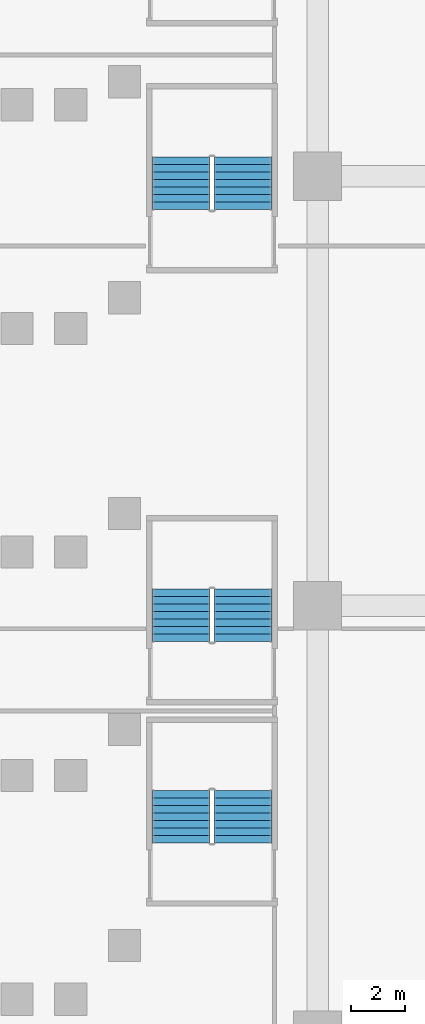
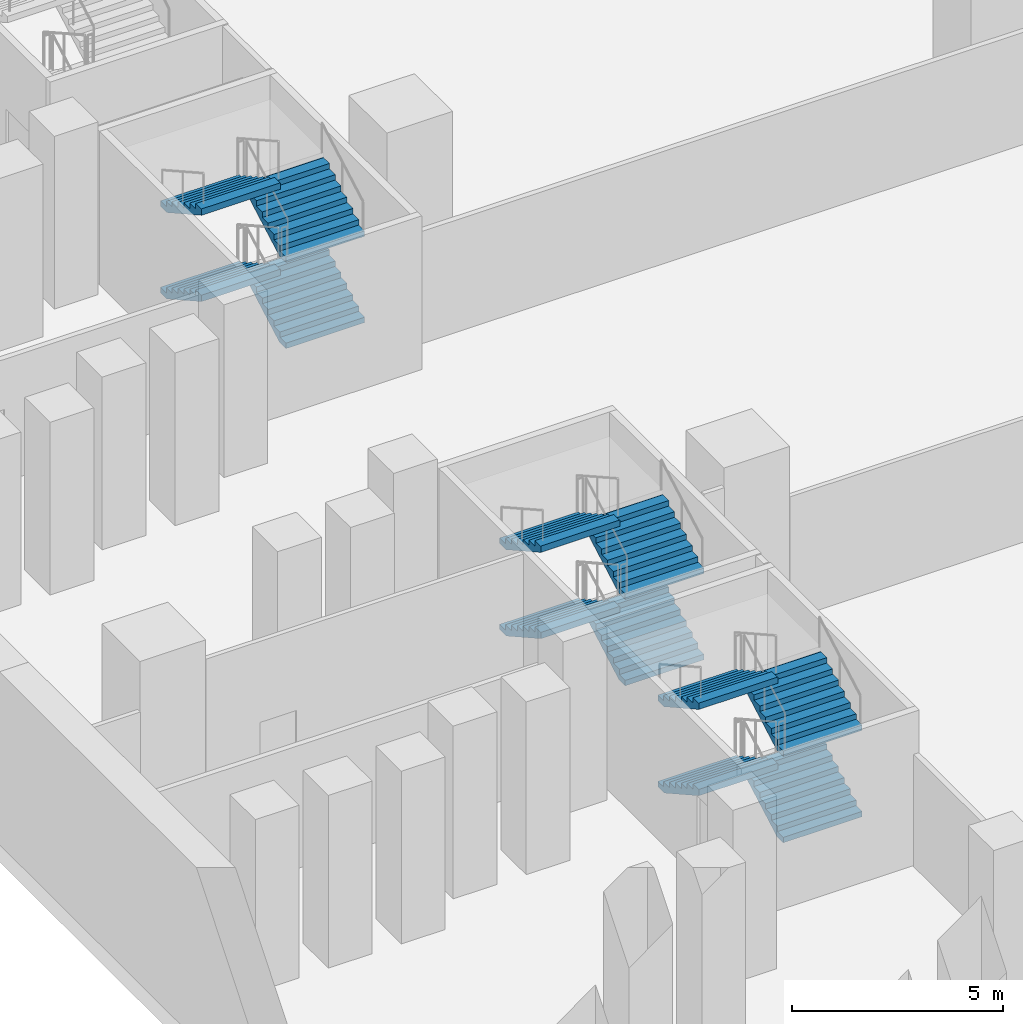
# One storey, part 13 of 24: 12 stair flights, 3 elements without a shape of their own.
"""IFC4 building model written with IfcOpenShell, lengths in metres."""

from ifc_helpers import new_model, si_unit, direction, frame, origin, place, context, subcontext, project, spatial, faceted_brep, source, transform, mapped, material, type_object, element, aggregate, save


model = new_model("IFC4")

# Units and contexts
model_context = context("Model", 3, precision=1e-05, world=origin(), true_north=direction((0.0, 1.0)))
body_context = subcontext(model_context, "Body", "Model", "MODEL_VIEW")
ifc_project = project(units=[si_unit("LENGTHUNIT", "METRE"), si_unit("AREAUNIT", "SQUARE_METRE"), si_unit("VOLUMEUNIT", "CUBIC_METRE"), si_unit("PLANEANGLEUNIT", "RADIAN"), si_unit("MASSUNIT", "GRAM", prefix="KILO")], contexts=[model_context])

# Site, building, storey
site_placement = place(None, origin())
site = spatial("IfcSite", under=ifc_project, at=site_placement, CompositionType="ELEMENT")
building_placement = place(site_placement, origin())
building = spatial("IfcBuilding", under=site, at=building_placement, Name="Calabash Gate Tower", CompositionType="ELEMENT")
storey_placement = place(building_placement, frame((0.0, 0.0, -5.0)))
storey = spatial("IfcBuildingStorey", under=building, at=storey_placement, Name="B1", CompositionType="ELEMENT", Elevation=-5.0)

# Stair, stair flights
ifc_material_1 = material(Name="Concrete C40/50", Category="concrete")
stair_type = type_object("IfcStairType", Name="Public stair 32 risers of 156.2 mm", PredefinedType="HALF_TURN_STAIR", material=ifc_material_1)
stair_1_placement = place(storey_placement, origin())
stair_1 = element("IfcStair", 1, at=stair_1_placement, inside=storey, type_object=stair_type, Name="B1 Public Stair PS1", PredefinedType="HALF_TURN_STAIR")
ifc_material_2 = material(Name="Concrete C40/50", Category="concrete")
stair_flight_type = type_object("IfcStairFlightType", Name="Exit stair flight SFL", PredefinedType="STRAIGHT", material=ifc_material_2)
shared_shape = source(origin(), body_context, "Body", "Brep", [
    faceted_brep([(-0.0009765625, -1.080078125, 0.0), (0.306884765625, -1.080078125, 0.0), (1.9541015625, -1.080078125, 0.921875), (-0.0009765625, 1.080078125, 0.0), (1.9541015625, 1.080078125, 0.921875), (0.306884765625, 1.080078125, 0.0), (1.9541015625, -1.080078125, 1.105712890625), (1.952880859375, -1.080078125, 1.105712890625), (1.952880859375, 1.080078125, 1.105712890625), (1.9541015625, 1.080078125, 1.105712890625), (1.952880859375, -1.080078125, 1.09375), (1.952880859375, 1.080078125, 1.09375), (1.674072265625, -1.080078125, 1.09375), (1.674072265625, 1.080078125, 1.09375), (1.674072265625, -1.080078125, 0.9375), (1.674072265625, 1.080078125, 0.9375), (1.39501953125, -1.080078125, 0.9375), (1.39501953125, 1.080078125, 0.9375), (1.39501953125, -1.080078125, 0.78125), (1.39501953125, 1.080078125, 0.78125), (1.115966796875, -1.080078125, 0.78125), (1.115966796875, -1.080078125, 0.625), (1.115966796875, 1.080078125, 0.625), (1.115966796875, 1.080078125, 0.78125), (0.8369140625, -1.080078125, 0.625), (0.8369140625, -1.080078125, 0.46875), (0.8369140625, 1.080078125, 0.46875), (0.8369140625, 1.080078125, 0.625), (0.55810546875, -1.080078125, 0.46875), (0.55810546875, -1.080078125, 0.3125), (0.55810546875, 1.080078125, 0.3125), (0.55810546875, 1.080078125, 0.46875), (0.279052734375, -1.080078125, 0.3125), (0.279052734375, -1.080078125, 0.15625), (0.279052734375, 1.080078125, 0.15625), (0.279052734375, 1.080078125, 0.3125), (-0.0009765625, -1.080078125, 0.15625), (-0.0009765625, 1.080078125, 0.15625), (0.306884765625, -0.431884765625, 0.0), (1.9541015625, -0.431884765625, 0.921875), (0.306884765625, -0.370361328125, 0.0), (1.9541015625, -0.370361328125, 0.921875), (0.306884765625, -0.30859375, 0.0), (1.9541015625, -0.30859375, 0.921875), (0.306884765625, -0.246826171875, 0.0), (1.9541015625, -0.246826171875, 0.921875), (0.306884765625, -0.18505859375, 0.0), (1.9541015625, -0.18505859375, 0.921875), (0.306884765625, -0.12353515625, 0.0), (1.9541015625, -0.12353515625, 0.921875), (0.306884765625, -0.061767578125, 0.0), (1.9541015625, -0.061767578125, 0.921875), (0.306884765625, 0.0, 0.0), (1.9541015625, 0.0, 0.921875), (0.306884765625, 0.061767578125, 0.0), (1.9541015625, 0.061767578125, 0.921875), (0.306884765625, 0.12353515625, 0.0), (1.9541015625, 0.12353515625, 0.921875), (0.306884765625, 0.18505859375, 0.0), (1.9541015625, 0.18505859375, 0.921875), (0.306884765625, 0.246826171875, 0.0), (1.9541015625, 0.246826171875, 0.921875), (0.306884765625, 0.30859375, 0.0), (1.9541015625, 0.30859375, 0.921875), (0.306884765625, 0.370361328125, 0.0), (1.9541015625, 0.370361328125, 0.921875), (0.306884765625, 0.431884765625, 0.0), (1.9541015625, 0.431884765625, 0.921875), (1.9541015625, -0.431884765625, 1.105712890625), (1.9541015625, -0.370361328125, 1.105712890625), (1.9541015625, -0.30859375, 1.105712890625), (1.9541015625, -0.246826171875, 1.105712890625), (1.9541015625, -0.18505859375, 1.105712890625), (1.9541015625, -0.12353515625, 1.105712890625), (1.9541015625, -0.061767578125, 1.105712890625), (1.9541015625, 0.0, 1.105712890625), (1.9541015625, 0.061767578125, 1.105712890625), (1.9541015625, 0.12353515625, 1.105712890625), (1.9541015625, 0.18505859375, 1.105712890625), (1.9541015625, 0.246826171875, 1.105712890625), (1.9541015625, 0.30859375, 1.105712890625), (1.9541015625, 0.370361328125, 1.105712890625), (1.9541015625, 0.431884765625, 1.105712890625), (1.952880859375, -0.431884765625, 1.105712890625), (1.952880859375, -0.370361328125, 1.105712890625), (1.952880859375, -0.30859375, 1.105712890625), (1.952880859375, -0.246826171875, 1.105712890625), (1.952880859375, -0.18505859375, 1.105712890625), (1.952880859375, -0.12353515625, 1.105712890625), (1.952880859375, -0.061767578125, 1.105712890625), (1.952880859375, 0.0, 1.105712890625), (1.952880859375, 0.061767578125, 1.105712890625), (1.952880859375, 0.12353515625, 1.105712890625), (1.952880859375, 0.18505859375, 1.105712890625), (1.952880859375, 0.246826171875, 1.105712890625), (1.952880859375, 0.30859375, 1.105712890625), (1.952880859375, 0.370361328125, 1.105712890625), (1.952880859375, 0.431884765625, 1.105712890625), (1.952880859375, -0.431884765625, 1.09375), (1.952880859375, -0.370361328125, 1.09375), (1.952880859375, -0.30859375, 1.09375), (1.952880859375, -0.246826171875, 1.09375), (1.952880859375, -0.18505859375, 1.09375), (1.952880859375, -0.12353515625, 1.09375), (1.952880859375, -0.061767578125, 1.09375), (1.952880859375, 0.0, 1.09375), (1.952880859375, 0.061767578125, 1.09375), (1.952880859375, 0.12353515625, 1.09375), (1.952880859375, 0.18505859375, 1.09375), (1.952880859375, 0.246826171875, 1.09375), (1.952880859375, 0.30859375, 1.09375), (1.952880859375, 0.370361328125, 1.09375), (1.952880859375, 0.431884765625, 1.09375), (1.674072265625, -0.431884765625, 1.09375), (1.674072265625, -0.370361328125, 1.09375), (1.674072265625, -0.30859375, 1.09375), (1.674072265625, -0.246826171875, 1.09375), (1.674072265625, -0.18505859375, 1.09375), (1.674072265625, -0.12353515625, 1.09375), (1.674072265625, -0.061767578125, 1.09375), (1.674072265625, 0.0, 1.09375), (1.674072265625, 0.061767578125, 1.09375), (1.674072265625, 0.12353515625, 1.09375), (1.674072265625, 0.18505859375, 1.09375), (1.674072265625, 0.246826171875, 1.09375), (1.674072265625, 0.30859375, 1.09375), (1.674072265625, 0.370361328125, 1.09375), (1.674072265625, 0.431884765625, 1.09375), (1.674072265625, -0.431884765625, 0.9375), (1.674072265625, -0.370361328125, 0.9375), (1.674072265625, -0.30859375, 0.9375), (1.674072265625, -0.246826171875, 0.9375), (1.674072265625, -0.18505859375, 0.9375), (1.674072265625, -0.12353515625, 0.9375), (1.674072265625, -0.061767578125, 0.9375), (1.674072265625, 0.0, 0.9375), (1.674072265625, 0.061767578125, 0.9375), (1.674072265625, 0.12353515625, 0.9375), (1.674072265625, 0.18505859375, 0.9375), (1.674072265625, 0.246826171875, 0.9375), (1.674072265625, 0.30859375, 0.9375), (1.674072265625, 0.370361328125, 0.9375), (1.674072265625, 0.431884765625, 0.9375), (1.39501953125, -0.431884765625, 0.9375), (1.39501953125, -0.370361328125, 0.9375), (1.39501953125, -0.30859375, 0.9375), (1.39501953125, -0.246826171875, 0.9375), (1.39501953125, -0.18505859375, 0.9375), (1.39501953125, -0.12353515625, 0.9375), (1.39501953125, -0.061767578125, 0.9375), (1.39501953125, 0.0, 0.9375), (1.39501953125, 0.061767578125, 0.9375), (1.39501953125, 0.12353515625, 0.9375), (1.39501953125, 0.18505859375, 0.9375), (1.39501953125, 0.246826171875, 0.9375), (1.39501953125, 0.30859375, 0.9375), (1.39501953125, 0.370361328125, 0.9375), (1.39501953125, 0.431884765625, 0.9375), (1.39501953125, -0.431884765625, 0.78125), (1.39501953125, -0.370361328125, 0.78125), (1.39501953125, -0.30859375, 0.78125), (1.39501953125, -0.246826171875, 0.78125), (1.39501953125, -0.18505859375, 0.78125), (1.39501953125, -0.12353515625, 0.78125), (1.39501953125, -0.061767578125, 0.78125), (1.39501953125, 0.0, 0.78125), (1.39501953125, 0.061767578125, 0.78125), (1.39501953125, 0.12353515625, 0.78125), (1.39501953125, 0.18505859375, 0.78125), (1.39501953125, 0.246826171875, 0.78125), (1.39501953125, 0.30859375, 0.78125), (1.39501953125, 0.370361328125, 0.78125), (1.39501953125, 0.431884765625, 0.78125), (1.115966796875, -0.431884765625, 0.78125), (1.115966796875, -0.370361328125, 0.78125), (1.115966796875, -0.30859375, 0.78125), (1.115966796875, -0.246826171875, 0.78125), (1.115966796875, -0.18505859375, 0.78125), (1.115966796875, -0.12353515625, 0.78125), (1.115966796875, -0.061767578125, 0.78125), (1.115966796875, 0.0, 0.78125), (1.115966796875, 0.061767578125, 0.78125), (1.115966796875, 0.12353515625, 0.78125), (1.115966796875, 0.18505859375, 0.78125), (1.115966796875, 0.246826171875, 0.78125), (1.115966796875, 0.30859375, 0.78125), (1.115966796875, 0.370361328125, 0.78125), (1.115966796875, 0.431884765625, 0.78125), (1.115966796875, -0.431884765625, 0.625), (1.115966796875, -0.370361328125, 0.625), (1.115966796875, -0.30859375, 0.625), (1.115966796875, -0.246826171875, 0.625), (1.115966796875, -0.18505859375, 0.625), (1.115966796875, -0.12353515625, 0.625), (1.115966796875, -0.061767578125, 0.625), (1.115966796875, 0.0, 0.625), (1.115966796875, 0.061767578125, 0.625), (1.115966796875, 0.12353515625, 0.625), (1.115966796875, 0.18505859375, 0.625), (1.115966796875, 0.246826171875, 0.625), (1.115966796875, 0.30859375, 0.625), (1.115966796875, 0.370361328125, 0.625), (1.115966796875, 0.431884765625, 0.625), (0.8369140625, -0.431884765625, 0.625), (0.8369140625, -0.370361328125, 0.625), (0.8369140625, -0.30859375, 0.625), (0.8369140625, -0.246826171875, 0.625), (0.8369140625, -0.18505859375, 0.625), (0.8369140625, -0.12353515625, 0.625), (0.8369140625, -0.061767578125, 0.625), (0.8369140625, 0.0, 0.625), (0.8369140625, 0.061767578125, 0.625), (0.8369140625, 0.12353515625, 0.625), (0.8369140625, 0.18505859375, 0.625), (0.8369140625, 0.246826171875, 0.625), (0.8369140625, 0.30859375, 0.625), (0.8369140625, 0.370361328125, 0.625), (0.8369140625, 0.431884765625, 0.625), (0.8369140625, -0.431884765625, 0.46875), (0.8369140625, -0.370361328125, 0.46875), (0.8369140625, -0.30859375, 0.46875), (0.8369140625, -0.246826171875, 0.46875), (0.8369140625, -0.18505859375, 0.46875), (0.8369140625, -0.12353515625, 0.46875), (0.8369140625, -0.061767578125, 0.46875), (0.8369140625, 0.0, 0.46875), (0.8369140625, 0.061767578125, 0.46875), (0.8369140625, 0.12353515625, 0.46875), (0.8369140625, 0.18505859375, 0.46875), (0.8369140625, 0.246826171875, 0.46875), (0.8369140625, 0.30859375, 0.46875), (0.8369140625, 0.370361328125, 0.46875), (0.8369140625, 0.431884765625, 0.46875), (0.55810546875, -0.431884765625, 0.46875), (0.55810546875, -0.370361328125, 0.46875), (0.55810546875, -0.30859375, 0.46875), (0.55810546875, -0.246826171875, 0.46875), (0.55810546875, -0.18505859375, 0.46875), (0.55810546875, -0.12353515625, 0.46875), (0.55810546875, -0.061767578125, 0.46875), (0.55810546875, 0.0, 0.46875), (0.55810546875, 0.061767578125, 0.46875), (0.55810546875, 0.12353515625, 0.46875), (0.55810546875, 0.18505859375, 0.46875), (0.55810546875, 0.246826171875, 0.46875), (0.55810546875, 0.30859375, 0.46875), (0.55810546875, 0.370361328125, 0.46875), (0.55810546875, 0.431884765625, 0.46875), (0.55810546875, -0.431884765625, 0.3125), (0.55810546875, -0.370361328125, 0.3125), (0.55810546875, -0.30859375, 0.3125), (0.55810546875, -0.246826171875, 0.3125), (0.55810546875, -0.18505859375, 0.3125), (0.55810546875, -0.12353515625, 0.3125), (0.55810546875, -0.061767578125, 0.3125), (0.55810546875, 0.0, 0.3125), (0.55810546875, 0.061767578125, 0.3125), (0.55810546875, 0.12353515625, 0.3125), (0.55810546875, 0.18505859375, 0.3125), (0.55810546875, 0.246826171875, 0.3125), (0.55810546875, 0.30859375, 0.3125), (0.55810546875, 0.370361328125, 0.3125), (0.55810546875, 0.431884765625, 0.3125), (0.279052734375, -0.431884765625, 0.3125), (0.279052734375, -0.370361328125, 0.3125), (0.279052734375, -0.30859375, 0.3125), (0.279052734375, -0.246826171875, 0.3125), (0.279052734375, -0.18505859375, 0.3125), (0.279052734375, -0.12353515625, 0.3125), (0.279052734375, -0.061767578125, 0.3125), (0.279052734375, 0.0, 0.3125), (0.279052734375, 0.061767578125, 0.3125), (0.279052734375, 0.12353515625, 0.3125), (0.279052734375, 0.18505859375, 0.3125), (0.279052734375, 0.246826171875, 0.3125), (0.279052734375, 0.30859375, 0.3125), (0.279052734375, 0.370361328125, 0.3125), (0.279052734375, 0.431884765625, 0.3125), (0.279052734375, -0.431884765625, 0.15625), (0.279052734375, -0.370361328125, 0.15625), (0.279052734375, -0.30859375, 0.15625), (0.279052734375, -0.246826171875, 0.15625), (0.279052734375, -0.18505859375, 0.15625), (0.279052734375, -0.12353515625, 0.15625), (0.279052734375, -0.061767578125, 0.15625), (0.279052734375, 0.0, 0.15625), (0.279052734375, 0.061767578125, 0.15625), (0.279052734375, 0.12353515625, 0.15625), (0.279052734375, 0.18505859375, 0.15625), (0.279052734375, 0.246826171875, 0.15625), (0.279052734375, 0.30859375, 0.15625), (0.279052734375, 0.370361328125, 0.15625), (0.279052734375, 0.431884765625, 0.15625), (-0.0009765625, -0.431884765625, 0.15625), (-0.0009765625, -0.370361328125, 0.15625), (-0.0009765625, -0.30859375, 0.15625), (-0.0009765625, -0.246826171875, 0.15625), (-0.0009765625, -0.18505859375, 0.15625), (-0.0009765625, -0.12353515625, 0.15625), (-0.0009765625, -0.061767578125, 0.15625), (-0.0009765625, 0.0, 0.15625), (-0.0009765625, 0.061767578125, 0.15625), (-0.0009765625, 0.12353515625, 0.15625), (-0.0009765625, 0.18505859375, 0.15625), (-0.0009765625, 0.246826171875, 0.15625), (-0.0009765625, 0.30859375, 0.15625), (-0.0009765625, 0.370361328125, 0.15625), (-0.0009765625, 0.431884765625, 0.15625), (-0.0009765625, -0.431884765625, 0.0), (-0.0009765625, -0.370361328125, 0.0), (-0.0009765625, -0.30859375, 0.0), (-0.0009765625, -0.246826171875, 0.0), (-0.0009765625, -0.18505859375, 0.0), (-0.0009765625, -0.12353515625, 0.0), (-0.0009765625, -0.061767578125, 0.0), (-0.0009765625, 0.0, 0.0), (-0.0009765625, 0.061767578125, 0.0), (-0.0009765625, 0.12353515625, 0.0), (-0.0009765625, 0.18505859375, 0.0), (-0.0009765625, 0.246826171875, 0.0), (-0.0009765625, 0.30859375, 0.0), (-0.0009765625, 0.370361328125, 0.0), (-0.0009765625, 0.431884765625, 0.0)], [[[0, 1, 2]], [[3, 4, 5]], [[2, 6, 7]], [[4, 8, 9]], [[2, 7, 10]], [[4, 11, 8]], [[2, 10, 12]], [[4, 13, 11]], [[2, 12, 14]], [[4, 15, 13]], [[2, 14, 16]], [[4, 17, 15]], [[2, 16, 18]], [[4, 19, 17]], [[18, 20, 21]], [[19, 22, 23]], [[2, 18, 21]], [[4, 22, 19]], [[21, 24, 25]], [[22, 26, 27]], [[2, 21, 25]], [[4, 26, 22]], [[25, 28, 29]], [[26, 30, 31]], [[2, 25, 29]], [[4, 30, 26]], [[29, 32, 33]], [[30, 34, 35]], [[2, 29, 33]], [[4, 34, 30]], [[0, 2, 33]], [[3, 34, 4]], [[33, 36, 0]], [[34, 3, 37]], [[1, 38, 2]], [[38, 39, 2]], [[38, 40, 39]], [[40, 41, 39]], [[40, 42, 41]], [[42, 43, 41]], [[42, 44, 43]], [[44, 45, 43]], [[44, 46, 45]], [[46, 47, 45]], [[46, 48, 47]], [[48, 49, 47]], [[48, 50, 49]], [[50, 51, 49]], [[50, 52, 51]], [[52, 53, 51]], [[52, 54, 55]], [[52, 55, 53]], [[54, 56, 57]], [[54, 57, 55]], [[56, 58, 59]], [[56, 59, 57]], [[58, 60, 61]], [[58, 61, 59]], [[60, 62, 63]], [[60, 63, 61]], [[62, 64, 65]], [[62, 65, 63]], [[64, 66, 67]], [[64, 67, 65]], [[66, 5, 4]], [[66, 4, 67]], [[2, 39, 6]], [[39, 68, 6]], [[39, 41, 68]], [[41, 69, 68]], [[41, 43, 69]], [[43, 70, 69]], [[43, 45, 70]], [[45, 71, 70]], [[45, 47, 71]], [[47, 72, 71]], [[47, 49, 72]], [[49, 73, 72]], [[49, 51, 73]], [[51, 74, 73]], [[51, 53, 74]], [[53, 75, 74]], [[53, 55, 76]], [[53, 76, 75]], [[55, 57, 77]], [[55, 77, 76]], [[57, 59, 78]], [[57, 78, 77]], [[59, 61, 79]], [[59, 79, 78]], [[61, 63, 80]], [[61, 80, 79]], [[63, 65, 81]], [[63, 81, 80]], [[65, 67, 82]], [[65, 82, 81]], [[67, 4, 9]], [[67, 9, 82]], [[6, 68, 7]], [[68, 83, 7]], [[68, 69, 83]], [[69, 84, 83]], [[69, 70, 84]], [[70, 85, 84]], [[70, 71, 85]], [[71, 86, 85]], [[71, 72, 86]], [[72, 87, 86]], [[72, 73, 87]], [[73, 88, 87]], [[73, 74, 88]], [[74, 89, 88]], [[74, 75, 89]], [[75, 90, 89]], [[75, 76, 91]], [[75, 91, 90]], [[76, 77, 92]], [[76, 92, 91]], [[77, 78, 93]], [[77, 93, 92]], [[78, 79, 94]], [[78, 94, 93]], [[79, 80, 95]], [[79, 95, 94]], [[80, 81, 96]], [[80, 96, 95]], [[81, 82, 97]], [[81, 97, 96]], [[82, 9, 8]], [[82, 8, 97]], [[7, 83, 10]], [[83, 98, 10]], [[83, 84, 98]], [[84, 99, 98]], [[84, 85, 99]], [[85, 100, 99]], [[85, 86, 100]], [[86, 101, 100]], [[86, 87, 101]], [[87, 102, 101]], [[87, 88, 102]], [[88, 103, 102]], [[88, 89, 103]], [[89, 104, 103]], [[89, 90, 104]], [[90, 105, 104]], [[90, 91, 106]], [[90, 106, 105]], [[91, 92, 107]], [[91, 107, 106]], [[92, 93, 108]], [[92, 108, 107]], [[93, 94, 109]], [[93, 109, 108]], [[94, 95, 110]], [[94, 110, 109]], [[95, 96, 111]], [[95, 111, 110]], [[96, 97, 112]], [[96, 112, 111]], [[97, 8, 11]], [[97, 11, 112]], [[10, 98, 12]], [[98, 113, 12]], [[98, 99, 113]], [[99, 114, 113]], [[99, 100, 114]], [[100, 115, 114]], [[100, 101, 115]], [[101, 116, 115]], [[101, 102, 116]], [[102, 117, 116]], [[102, 103, 117]], [[103, 118, 117]], [[103, 104, 118]], [[104, 119, 118]], [[104, 105, 119]], [[105, 120, 119]], [[105, 106, 121]], [[105, 121, 120]], [[106, 107, 122]], [[106, 122, 121]], [[107, 108, 123]], [[107, 123, 122]], [[108, 109, 124]], [[108, 124, 123]], [[109, 110, 125]], [[109, 125, 124]], [[110, 111, 126]], [[110, 126, 125]], [[111, 112, 127]], [[111, 127, 126]], [[112, 11, 13]], [[112, 13, 127]], [[12, 113, 14]], [[113, 128, 14]], [[113, 114, 128]], [[114, 129, 128]], [[114, 115, 129]], [[115, 130, 129]], [[115, 116, 130]], [[116, 131, 130]], [[116, 117, 131]], [[117, 132, 131]], [[117, 118, 132]], [[118, 133, 132]], [[118, 119, 133]], [[119, 134, 133]], [[119, 120, 134]], [[120, 135, 134]], [[120, 121, 136]], [[120, 136, 135]], [[121, 122, 137]], [[121, 137, 136]], [[122, 123, 138]], [[122, 138, 137]], [[123, 124, 139]], [[123, 139, 138]], [[124, 125, 140]], [[124, 140, 139]], [[125, 126, 141]], [[125, 141, 140]], [[126, 127, 142]], [[126, 142, 141]], [[127, 13, 15]], [[127, 15, 142]], [[14, 128, 16]], [[128, 143, 16]], [[128, 129, 143]], [[129, 144, 143]], [[129, 130, 144]], [[130, 145, 144]], [[130, 131, 145]], [[131, 146, 145]], [[131, 132, 146]], [[132, 147, 146]], [[132, 133, 147]], [[133, 148, 147]], [[133, 134, 148]], [[134, 149, 148]], [[134, 135, 149]], [[135, 150, 149]], [[135, 136, 151]], [[135, 151, 150]], [[136, 137, 152]], [[136, 152, 151]], [[137, 138, 153]], [[137, 153, 152]], [[138, 139, 154]], [[138, 154, 153]], [[139, 140, 155]], [[139, 155, 154]], [[140, 141, 156]], [[140, 156, 155]], [[141, 142, 157]], [[141, 157, 156]], [[142, 15, 17]], [[142, 17, 157]], [[16, 143, 18]], [[143, 158, 18]], [[143, 144, 158]], [[144, 159, 158]], [[144, 145, 159]], [[145, 160, 159]], [[145, 146, 160]], [[146, 161, 160]], [[146, 147, 161]], [[147, 162, 161]], [[147, 148, 162]], [[148, 163, 162]], [[148, 149, 163]], [[149, 164, 163]], [[149, 150, 164]], [[150, 165, 164]], [[150, 151, 166]], [[150, 166, 165]], [[151, 152, 167]], [[151, 167, 166]], [[152, 153, 168]], [[152, 168, 167]], [[153, 154, 169]], [[153, 169, 168]], [[154, 155, 170]], [[154, 170, 169]], [[155, 156, 171]], [[155, 171, 170]], [[156, 157, 172]], [[156, 172, 171]], [[157, 17, 19]], [[157, 19, 172]], [[18, 158, 20]], [[158, 173, 20]], [[158, 159, 173]], [[159, 174, 173]], [[159, 160, 174]], [[160, 175, 174]], [[160, 161, 175]], [[161, 176, 175]], [[161, 162, 176]], [[162, 177, 176]], [[162, 163, 177]], [[163, 178, 177]], [[163, 164, 178]], [[164, 179, 178]], [[164, 165, 179]], [[165, 180, 179]], [[165, 166, 181]], [[165, 181, 180]], [[166, 167, 182]], [[166, 182, 181]], [[167, 168, 183]], [[167, 183, 182]], [[168, 169, 184]], [[168, 184, 183]], [[169, 170, 185]], [[169, 185, 184]], [[170, 171, 186]], [[170, 186, 185]], [[171, 172, 187]], [[171, 187, 186]], [[172, 19, 23]], [[172, 23, 187]], [[20, 173, 21]], [[173, 188, 21]], [[173, 174, 188]], [[174, 189, 188]], [[174, 175, 189]], [[175, 190, 189]], [[175, 176, 190]], [[176, 191, 190]], [[176, 177, 191]], [[177, 192, 191]], [[177, 178, 192]], [[178, 193, 192]], [[178, 179, 193]], [[179, 194, 193]], [[179, 180, 194]], [[180, 195, 194]], [[180, 181, 196]], [[180, 196, 195]], [[181, 182, 197]], [[181, 197, 196]], [[182, 183, 198]], [[182, 198, 197]], [[183, 184, 199]], [[183, 199, 198]], [[184, 185, 200]], [[184, 200, 199]], [[185, 186, 201]], [[185, 201, 200]], [[186, 187, 202]], [[186, 202, 201]], [[187, 23, 22]], [[187, 22, 202]], [[21, 188, 24]], [[188, 203, 24]], [[188, 189, 203]], [[189, 204, 203]], [[189, 190, 204]], [[190, 205, 204]], [[190, 191, 205]], [[191, 206, 205]], [[191, 192, 206]], [[192, 207, 206]], [[192, 193, 207]], [[193, 208, 207]], [[193, 194, 208]], [[194, 209, 208]], [[194, 195, 209]], [[195, 210, 209]], [[195, 196, 211]], [[195, 211, 210]], [[196, 197, 212]], [[196, 212, 211]], [[197, 198, 213]], [[197, 213, 212]], [[198, 199, 214]], [[198, 214, 213]], [[199, 200, 215]], [[199, 215, 214]], [[200, 201, 216]], [[200, 216, 215]], [[201, 202, 217]], [[201, 217, 216]], [[202, 22, 27]], [[202, 27, 217]], [[24, 203, 25]], [[203, 218, 25]], [[203, 204, 218]], [[204, 219, 218]], [[204, 205, 219]], [[205, 220, 219]], [[205, 206, 220]], [[206, 221, 220]], [[206, 207, 221]], [[207, 222, 221]], [[207, 208, 222]], [[208, 223, 222]], [[208, 209, 223]], [[209, 224, 223]], [[209, 210, 224]], [[210, 225, 224]], [[210, 211, 226]], [[210, 226, 225]], [[211, 212, 227]], [[211, 227, 226]], [[212, 213, 228]], [[212, 228, 227]], [[213, 214, 229]], [[213, 229, 228]], [[214, 215, 230]], [[214, 230, 229]], [[215, 216, 231]], [[215, 231, 230]], [[216, 217, 232]], [[216, 232, 231]], [[217, 27, 26]], [[217, 26, 232]], [[25, 218, 28]], [[218, 233, 28]], [[218, 219, 233]], [[219, 234, 233]], [[219, 220, 234]], [[220, 235, 234]], [[220, 221, 235]], [[221, 236, 235]], [[221, 222, 236]], [[222, 237, 236]], [[222, 223, 237]], [[223, 238, 237]], [[223, 224, 238]], [[224, 239, 238]], [[224, 225, 239]], [[225, 240, 239]], [[225, 226, 241]], [[225, 241, 240]], [[226, 227, 242]], [[226, 242, 241]], [[227, 228, 243]], [[227, 243, 242]], [[228, 229, 244]], [[228, 244, 243]], [[229, 230, 245]], [[229, 245, 244]], [[230, 231, 246]], [[230, 246, 245]], [[231, 232, 247]], [[231, 247, 246]], [[232, 26, 31]], [[232, 31, 247]], [[28, 233, 29]], [[233, 248, 29]], [[233, 234, 248]], [[234, 249, 248]], [[234, 235, 249]], [[235, 250, 249]], [[235, 236, 250]], [[236, 251, 250]], [[236, 237, 251]], [[237, 252, 251]], [[237, 238, 252]], [[238, 253, 252]], [[238, 239, 253]], [[239, 254, 253]], [[239, 240, 254]], [[240, 255, 254]], [[240, 241, 256]], [[240, 256, 255]], [[241, 242, 257]], [[241, 257, 256]], [[242, 243, 258]], [[242, 258, 257]], [[243, 244, 259]], [[243, 259, 258]], [[244, 245, 260]], [[244, 260, 259]], [[245, 246, 261]], [[245, 261, 260]], [[246, 247, 262]], [[246, 262, 261]], [[247, 31, 30]], [[247, 30, 262]], [[29, 248, 32]], [[248, 263, 32]], [[248, 249, 263]], [[249, 264, 263]], [[249, 250, 264]], [[250, 265, 264]], [[250, 251, 265]], [[251, 266, 265]], [[251, 252, 266]], [[252, 267, 266]], [[252, 253, 267]], [[253, 268, 267]], [[253, 254, 268]], [[254, 269, 268]], [[254, 255, 269]], [[255, 270, 269]], [[255, 256, 271]], [[255, 271, 270]], [[256, 257, 272]], [[256, 272, 271]], [[257, 258, 273]], [[257, 273, 272]], [[258, 259, 274]], [[258, 274, 273]], [[259, 260, 275]], [[259, 275, 274]], [[260, 261, 276]], [[260, 276, 275]], [[261, 262, 277]], [[261, 277, 276]], [[262, 30, 35]], [[262, 35, 277]], [[32, 263, 33]], [[263, 278, 33]], [[263, 264, 278]], [[264, 279, 278]], [[264, 265, 279]], [[265, 280, 279]], [[265, 266, 280]], [[266, 281, 280]], [[266, 267, 281]], [[267, 282, 281]], [[267, 268, 282]], [[268, 283, 282]], [[268, 269, 283]], [[269, 284, 283]], [[269, 270, 284]], [[270, 285, 284]], [[270, 271, 286]], [[270, 286, 285]], [[271, 272, 287]], [[271, 287, 286]], [[272, 273, 288]], [[272, 288, 287]], [[273, 274, 289]], [[273, 289, 288]], [[274, 275, 290]], [[274, 290, 289]], [[275, 276, 291]], [[275, 291, 290]], [[276, 277, 292]], [[276, 292, 291]], [[277, 35, 34]], [[277, 34, 292]], [[33, 278, 36]], [[278, 293, 36]], [[278, 279, 293]], [[279, 294, 293]], [[279, 280, 294]], [[280, 295, 294]], [[280, 281, 295]], [[281, 296, 295]], [[281, 282, 296]], [[282, 297, 296]], [[282, 283, 297]], [[283, 298, 297]], [[283, 284, 298]], [[284, 299, 298]], [[284, 285, 299]], [[285, 300, 299]], [[285, 286, 301]], [[285, 301, 300]], [[286, 287, 302]], [[286, 302, 301]], [[287, 288, 303]], [[287, 303, 302]], [[288, 289, 304]], [[288, 304, 303]], [[289, 290, 305]], [[289, 305, 304]], [[290, 291, 306]], [[290, 306, 305]], [[291, 292, 307]], [[291, 307, 306]], [[292, 34, 37]], [[292, 37, 307]], [[36, 293, 0]], [[293, 308, 0]], [[293, 294, 308]], [[294, 309, 308]], [[294, 295, 309]], [[295, 310, 309]], [[295, 296, 310]], [[296, 311, 310]], [[296, 297, 311]], [[297, 312, 311]], [[297, 298, 312]], [[298, 313, 312]], [[298, 299, 313]], [[299, 314, 313]], [[299, 300, 314]], [[300, 315, 314]], [[300, 301, 316]], [[300, 316, 315]], [[301, 302, 317]], [[301, 317, 316]], [[302, 303, 318]], [[302, 318, 317]], [[303, 304, 319]], [[303, 319, 318]], [[304, 305, 320]], [[304, 320, 319]], [[305, 306, 321]], [[305, 321, 320]], [[306, 307, 322]], [[306, 322, 321]], [[307, 37, 3]], [[307, 3, 322]], [[0, 308, 1]], [[308, 38, 1]], [[308, 309, 38]], [[309, 40, 38]], [[309, 310, 40]], [[310, 42, 40]], [[310, 311, 42]], [[311, 44, 42]], [[311, 312, 44]], [[312, 46, 44]], [[312, 313, 46]], [[313, 48, 46]], [[313, 314, 48]], [[314, 50, 48]], [[314, 315, 50]], [[315, 52, 50]], [[315, 316, 54]], [[315, 54, 52]], [[316, 317, 56]], [[316, 56, 54]], [[317, 318, 58]], [[317, 58, 56]], [[318, 319, 60]], [[318, 60, 58]], [[319, 320, 62]], [[319, 62, 60]], [[320, 321, 64]], [[320, 64, 62]], [[321, 322, 66]], [[321, 66, 64]], [[322, 3, 5]], [[322, 5, 66]]]),
])
stair_flight_1_placement = place(storey_placement, frame((-34.780029296875, -32.840087890625, 0.0), z_axis=(0.0, 0.0, 1.0), x_axis=(0.0, 1.0, 0.0)))
stair_flight_1 = element("IfcStairFlight", 2, at=stair_flight_1_placement, type_object=stair_flight_type, Name="PS1 flight 1", NumberOfRisers=8, NumberOfTreads=7, PredefinedType="STRAIGHT", RiserHeight=0.15625, TreadLength=0.279, context=body_context, shape_type="MappedRepresentation", body=[
    mapped(shared_shape, transform((0.0, 0.0, 0.0), scale=1.0)),
])
stair_flight_2_placement = place(storey_placement, frame((-37.090087890625, -30.886962890625, 1.25), z_axis=(0.0, 0.0, 1.0), x_axis=(0.0, -1.0, 0.0)))
stair_flight_2 = element("IfcStairFlight", 3, at=stair_flight_2_placement, type_object=stair_flight_type, Name="PS1 flight 2", NumberOfRisers=8, NumberOfTreads=7, PredefinedType="STRAIGHT", RiserHeight=0.15625, TreadLength=0.279, context=body_context, shape_type="MappedRepresentation", body=[
    mapped(shared_shape, transform((0.0, 0.0, 0.0), scale=1.0)),
])
stair_flight_3_placement = place(storey_placement, frame((-34.780029296875, -32.840087890625, 2.5), z_axis=(0.0, 0.0, 1.0), x_axis=(0.0, 1.0, 0.0)))
stair_flight_3 = element("IfcStairFlight", 4, at=stair_flight_3_placement, type_object=stair_flight_type, Name="PS1 flight 3", NumberOfRisers=8, NumberOfTreads=7, PredefinedType="STRAIGHT", RiserHeight=0.15625, TreadLength=0.279, context=body_context, shape_type="MappedRepresentation", body=[
    mapped(shared_shape, transform((0.0, 0.0, 0.0), scale=1.0)),
])
stair_flight_4_placement = place(storey_placement, frame((-37.090087890625, -30.886962890625, 3.75), z_axis=(0.0, 0.0, 1.0), x_axis=(0.0, -1.0, 0.0)))
stair_flight_4 = element("IfcStairFlight", 5, at=stair_flight_4_placement, type_object=stair_flight_type, Name="PS1 flight 4", NumberOfRisers=8, NumberOfTreads=7, PredefinedType="STRAIGHT", RiserHeight=0.15625, TreadLength=0.279, context=body_context, shape_type="MappedRepresentation", body=[
    mapped(shared_shape, transform((0.0, 0.0, 0.0), scale=1.0)),
])
aggregate(stair_1, [stair_flight_1, stair_flight_2, stair_flight_3, stair_flight_4])

stair_2_placement = place(storey_placement, origin())
stair_2 = element("IfcStair", 6, at=stair_2_placement, inside=storey, type_object=stair_type, Name="B1 Public Stair PS2", PredefinedType="HALF_TURN_STAIR")
stair_flight_5_placement = place(storey_placement, frame((-34.780029296875, -25.340087890625, 0.0), z_axis=(0.0, 0.0, 1.0), x_axis=(0.0, 1.0, 0.0)))
stair_flight_5 = element("IfcStairFlight", 7, at=stair_flight_5_placement, type_object=stair_flight_type, Name="PS2 flight 1", NumberOfRisers=8, NumberOfTreads=7, PredefinedType="STRAIGHT", RiserHeight=0.15625, TreadLength=0.279, context=body_context, shape_type="MappedRepresentation", body=[
    mapped(shared_shape, transform((0.0, 0.0, 0.0), scale=1.0)),
])
stair_flight_6_placement = place(storey_placement, frame((-37.090087890625, -23.386962890625, 1.25), z_axis=(0.0, 0.0, 1.0), x_axis=(0.0, -1.0, 0.0)))
stair_flight_6 = element("IfcStairFlight", 8, at=stair_flight_6_placement, type_object=stair_flight_type, Name="PS2 flight 2", NumberOfRisers=8, NumberOfTreads=7, PredefinedType="STRAIGHT", RiserHeight=0.15625, TreadLength=0.279, context=body_context, shape_type="MappedRepresentation", body=[
    mapped(shared_shape, transform((0.0, 0.0, 0.0), scale=1.0)),
])
stair_flight_7_placement = place(storey_placement, frame((-34.780029296875, -25.340087890625, 2.5), z_axis=(0.0, 0.0, 1.0), x_axis=(0.0, 1.0, 0.0)))
stair_flight_7 = element("IfcStairFlight", 9, at=stair_flight_7_placement, type_object=stair_flight_type, Name="PS2 flight 3", NumberOfRisers=8, NumberOfTreads=7, PredefinedType="STRAIGHT", RiserHeight=0.15625, TreadLength=0.279, context=body_context, shape_type="MappedRepresentation", body=[
    mapped(shared_shape, transform((0.0, 0.0, 0.0), scale=1.0)),
])
stair_flight_8_placement = place(storey_placement, frame((-37.090087890625, -23.386962890625, 3.75), z_axis=(0.0, 0.0, 1.0), x_axis=(0.0, -1.0, 0.0)))
stair_flight_8 = element("IfcStairFlight", 10, at=stair_flight_8_placement, type_object=stair_flight_type, Name="PS2 flight 4", NumberOfRisers=8, NumberOfTreads=7, PredefinedType="STRAIGHT", RiserHeight=0.15625, TreadLength=0.279, context=body_context, shape_type="MappedRepresentation", body=[
    mapped(shared_shape, transform((0.0, 0.0, 0.0), scale=1.0)),
])
aggregate(stair_2, [stair_flight_5, stair_flight_6, stair_flight_7, stair_flight_8])

stair_3_placement = place(storey_placement, origin())
stair_3 = element("IfcStair", 11, at=stair_3_placement, inside=storey, type_object=stair_type, Name="B1 Public Stair PS3", PredefinedType="HALF_TURN_STAIR")
stair_flight_9_placement = place(storey_placement, frame((-34.780029296875, -9.239990234375, 0.0), z_axis=(0.0, 0.0, 1.0), x_axis=(0.0, 1.0, 0.0)))
stair_flight_9 = element("IfcStairFlight", 12, at=stair_flight_9_placement, type_object=stair_flight_type, Name="PS3 flight 1", NumberOfRisers=8, NumberOfTreads=7, PredefinedType="STRAIGHT", RiserHeight=0.15625, TreadLength=0.279, context=body_context, shape_type="MappedRepresentation", body=[
    mapped(shared_shape, transform((0.0, 0.0, 0.0), scale=1.0)),
])
stair_flight_10_placement = place(storey_placement, frame((-37.090087890625, -7.287109375, 1.25), z_axis=(0.0, 0.0, 1.0), x_axis=(0.0, -1.0, 0.0)))
stair_flight_10 = element("IfcStairFlight", 13, at=stair_flight_10_placement, type_object=stair_flight_type, Name="PS3 flight 2", NumberOfRisers=8, NumberOfTreads=7, PredefinedType="STRAIGHT", RiserHeight=0.15625, TreadLength=0.279, context=body_context, shape_type="MappedRepresentation", body=[
    mapped(shared_shape, transform((0.0, 0.0, 0.0), scale=1.0)),
])
stair_flight_11_placement = place(storey_placement, frame((-34.780029296875, -9.239990234375, 2.5), z_axis=(0.0, 0.0, 1.0), x_axis=(0.0, 1.0, 0.0)))
stair_flight_11 = element("IfcStairFlight", 14, at=stair_flight_11_placement, type_object=stair_flight_type, Name="PS3 flight 3", NumberOfRisers=8, NumberOfTreads=7, PredefinedType="STRAIGHT", RiserHeight=0.15625, TreadLength=0.279, context=body_context, shape_type="MappedRepresentation", body=[
    mapped(shared_shape, transform((0.0, 0.0, 0.0), scale=1.0)),
])
stair_flight_12_placement = place(storey_placement, frame((-37.090087890625, -7.287109375, 3.75), z_axis=(0.0, 0.0, 1.0), x_axis=(0.0, -1.0, 0.0)))
stair_flight_12 = element("IfcStairFlight", 15, at=stair_flight_12_placement, type_object=stair_flight_type, Name="PS3 flight 4", NumberOfRisers=8, NumberOfTreads=7, PredefinedType="STRAIGHT", RiserHeight=0.15625, TreadLength=0.279, context=body_context, shape_type="MappedRepresentation", body=[
    mapped(shared_shape, transform((0.0, 0.0, 0.0), scale=1.0)),
])
aggregate(stair_3, [stair_flight_9, stair_flight_10, stair_flight_11, stair_flight_12])

save(model, "model.ifc")
